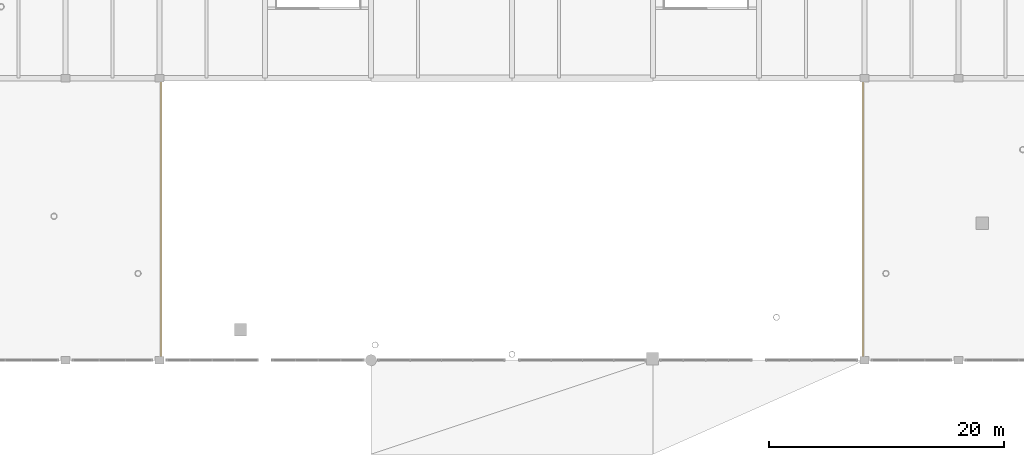
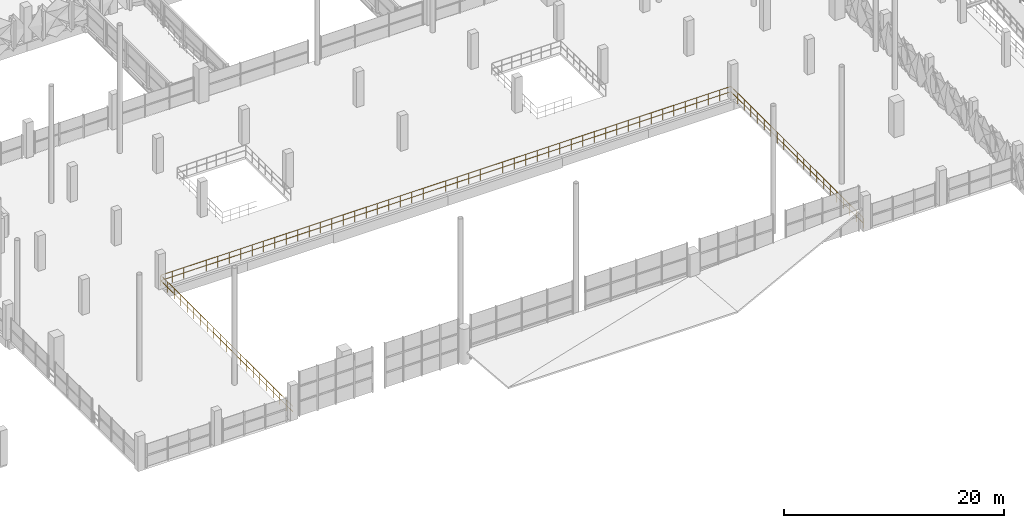
# One storey, part 109 of 123: 1 railing.
"""IFC4 building model written with IfcOpenShell, lengths in metres."""

from ifc_helpers import new_model, si_unit, derived_unit, direction, frame, origin, origin_2d, place, context, subcontext, project, spatial, circle, extrude, material, type_object, element, save


model = new_model("IFC4")

# Units and contexts
model_context = context("Model", 3, precision=1e-05, world=origin(), true_north=direction((0.0, 1.0)))
body_context = subcontext(model_context, "Body", "Model", "MODEL_VIEW")
ifc_project = project(units=[si_unit("LENGTHUNIT", "METRE"), si_unit("AREAUNIT", "SQUARE_METRE"), si_unit("VOLUMEUNIT", "CUBIC_METRE"), si_unit("PLANEANGLEUNIT", "RADIAN"), si_unit("MASSUNIT", "GRAM", prefix="KILO"), si_unit("THERMODYNAMICTEMPERATUREUNIT", "KELVIN"), derived_unit("THERMALTRANSMITTANCEUNIT", [(si_unit("POWERUNIT", "WATT"), 1), (si_unit("AREAUNIT", "SQUARE_METRE"), -1), (si_unit("THERMODYNAMICTEMPERATUREUNIT", "KELVIN"), -1)])], contexts=[model_context])

# Site, building, storey
site_placement = place(None, origin())
site = spatial("IfcSite", under=ifc_project, at=site_placement, CompositionType="ELEMENT")
building_placement = place(site_placement, origin())
building = spatial("IfcBuilding", under=site, at=building_placement, Name="Haiyu Intermodal Mobility Hub", CompositionType="ELEMENT")
storey_placement = place(building_placement, frame((0.0, 0.0, 5.60009765625)))
storey = spatial("IfcBuildingStorey", under=building, at=storey_placement, Name="L01", CompositionType="ELEMENT", Elevation=5.60009765625)

# Railing
ifc_material = material(Name="Steel Q355C", Category="steel")
railing_type = type_object("IfcRailingType", Name="RAL-GR02", PredefinedType="GUARDRAIL", material=ifc_material)
railing_placement = place(storey_placement, frame((78.1201171875, 40.1201171875, 0.0)))
element("IfcRailing", 1, at=railing_placement, inside=storey, type_object=railing_type, Name="RAL-MEZZ-VOID", PredefinedType="GUARDRAIL", context=body_context, shape_type="SweptSolid", body=[
    extrude(circle(Radius=0.02392578125, at=origin_2d()), frame((0.0, 0.030029296875, 1.19580078125), z_axis=(0.0, 1.0, 0.0), x_axis=(-1.0, 0.0, 0.0)), (0.0, 0.0, 1.0), 23.93994140625),
    extrude(circle(Radius=0.02392578125, at=origin_2d()), frame((0.0, 0.037353515625, 0.60986328125), z_axis=(0.0, 1.0, 0.0), x_axis=(-1.0, 0.0, 0.0)), (0.0, 0.0, 1.0), 1.12548828125),
    extrude(circle(Radius=0.02392578125, at=origin_2d()), frame((0.0, 1.2373046875, 0.60986328125), z_axis=(0.0, 1.0, 0.0), x_axis=(-1.0, 0.0, 0.0)), (0.0, 0.0, 1.0), 1.12548828125),
    extrude(circle(Radius=0.02392578125, at=origin_2d()), frame((0.0, 2.437255859375, 0.60986328125), z_axis=(0.0, 1.0, 0.0), x_axis=(-1.0, 0.0, 0.0)), (0.0, 0.0, 1.0), 1.12548828125),
    extrude(circle(Radius=0.02392578125, at=origin_2d()), frame((0.0, 3.63720703125, 0.60986328125), z_axis=(0.0, 1.0, 0.0), x_axis=(-1.0, 0.0, 0.0)), (0.0, 0.0, 1.0), 1.12548828125),
    extrude(circle(Radius=0.02392578125, at=origin_2d()), frame((0.0, 4.83740234375, 0.60986328125), z_axis=(0.0, 1.0, 0.0), x_axis=(-1.0, 0.0, 0.0)), (0.0, 0.0, 1.0), 1.12548828125),
    extrude(circle(Radius=0.02392578125, at=origin_2d()), frame((0.0, 6.037353515625, 0.60986328125), z_axis=(0.0, 1.0, 0.0), x_axis=(-1.0, 0.0, 0.0)), (0.0, 0.0, 1.0), 1.12548828125),
    extrude(circle(Radius=0.02392578125, at=origin_2d()), frame((0.0, 7.2373046875, 0.60986328125), z_axis=(0.0, 1.0, 0.0), x_axis=(-1.0, 0.0, 0.0)), (0.0, 0.0, 1.0), 1.12548828125),
    extrude(circle(Radius=0.02392578125, at=origin_2d()), frame((0.0, 8.437255859375, 0.60986328125), z_axis=(0.0, 1.0, 0.0), x_axis=(-1.0, 0.0, 0.0)), (0.0, 0.0, 1.0), 1.12548828125),
    extrude(circle(Radius=0.02392578125, at=origin_2d()), frame((0.0, 9.63720703125, 0.60986328125), z_axis=(0.0, 1.0, 0.0), x_axis=(-1.0, 0.0, 0.0)), (0.0, 0.0, 1.0), 1.12548828125),
    extrude(circle(Radius=0.02392578125, at=origin_2d()), frame((0.0, 10.83740234375, 0.60986328125), z_axis=(0.0, 1.0, 0.0), x_axis=(-1.0, 0.0, 0.0)), (0.0, 0.0, 1.0), 1.12548828125),
    extrude(circle(Radius=0.02392578125, at=origin_2d()), frame((0.0, 12.037353515625, 0.60986328125), z_axis=(0.0, 1.0, 0.0), x_axis=(-1.0, 0.0, 0.0)), (0.0, 0.0, 1.0), 1.12548828125),
    extrude(circle(Radius=0.02392578125, at=origin_2d()), frame((0.0, 13.2373046875, 0.60986328125), z_axis=(0.0, 1.0, 0.0), x_axis=(-1.0, 0.0, 0.0)), (0.0, 0.0, 1.0), 1.12548828125),
    extrude(circle(Radius=0.02392578125, at=origin_2d()), frame((0.0, 14.437255859375, 0.60986328125), z_axis=(0.0, 1.0, 0.0), x_axis=(-1.0, 0.0, 0.0)), (0.0, 0.0, 1.0), 1.12548828125),
    extrude(circle(Radius=0.02392578125, at=origin_2d()), frame((0.0, 15.63720703125, 0.60986328125), z_axis=(0.0, 1.0, 0.0), x_axis=(-1.0, 0.0, 0.0)), (0.0, 0.0, 1.0), 1.12548828125),
    extrude(circle(Radius=0.02392578125, at=origin_2d()), frame((0.0, 16.83740234375, 0.60986328125), z_axis=(0.0, 1.0, 0.0), x_axis=(-1.0, 0.0, 0.0)), (0.0, 0.0, 1.0), 1.12548828125),
    extrude(circle(Radius=0.02392578125, at=origin_2d()), frame((0.0, 18.037353515625, 0.60986328125), z_axis=(0.0, 1.0, 0.0), x_axis=(-1.0, 0.0, 0.0)), (0.0, 0.0, 1.0), 1.12548828125),
    extrude(circle(Radius=0.02392578125, at=origin_2d()), frame((0.0, 19.2373046875, 0.60986328125), z_axis=(0.0, 1.0, 0.0), x_axis=(-1.0, 0.0, 0.0)), (0.0, 0.0, 1.0), 1.12548828125),
    extrude(circle(Radius=0.02392578125, at=origin_2d()), frame((0.0, 20.437255859375, 0.60986328125), z_axis=(0.0, 1.0, 0.0), x_axis=(-1.0, 0.0, 0.0)), (0.0, 0.0, 1.0), 1.12548828125),
    extrude(circle(Radius=0.02392578125, at=origin_2d()), frame((0.0, 21.63720703125, 0.60986328125), z_axis=(0.0, 1.0, 0.0), x_axis=(-1.0, 0.0, 0.0)), (0.0, 0.0, 1.0), 1.12548828125),
    extrude(circle(Radius=0.02392578125, at=origin_2d()), frame((0.0, 22.83740234375, 0.60986328125), z_axis=(0.0, 1.0, 0.0), x_axis=(-1.0, 0.0, 0.0)), (0.0, 0.0, 1.0), 1.12548828125),
    extrude(circle(Radius=0.02392578125, at=origin_2d()), frame((0.030029296875, 24.0, 1.19580078125), z_axis=(1.0, 0.0, 0.0), x_axis=(0.0, 1.0, 0.0)), (0.0, 0.0, 1.0), 59.69970703125),
    extrude(circle(Radius=0.02392578125, at=origin_2d()), frame((0.037353515625, 24.0, 0.60986328125), z_axis=(1.0, 0.0, 0.0), x_axis=(0.0, 1.0, 0.0)), (0.0, 0.0, 1.0), 1.12060546875),
    extrude(circle(Radius=0.02392578125, at=origin_2d()), frame((1.232421875, 24.0, 0.60986328125), z_axis=(1.0, 0.0, 0.0), x_axis=(0.0, 1.0, 0.0)), (0.0, 0.0, 1.0), 1.12060546875),
    extrude(circle(Radius=0.02392578125, at=origin_2d()), frame((2.427734375, 24.0, 0.60986328125), z_axis=(1.0, 0.0, 0.0), x_axis=(0.0, 1.0, 0.0)), (0.0, 0.0, 1.0), 1.12060546875),
    extrude(circle(Radius=0.02392578125, at=origin_2d()), frame((3.622802734375, 24.0, 0.60986328125), z_axis=(1.0, 0.0, 0.0), x_axis=(0.0, 1.0, 0.0)), (0.0, 0.0, 1.0), 1.12060546875),
    extrude(circle(Radius=0.02392578125, at=origin_2d()), frame((4.818115234375, 24.0, 0.60986328125), z_axis=(1.0, 0.0, 0.0), x_axis=(0.0, 1.0, 0.0)), (0.0, 0.0, 1.0), 1.12060546875),
    extrude(circle(Radius=0.02392578125, at=origin_2d()), frame((6.01318359375, 24.0, 0.60986328125), z_axis=(1.0, 0.0, 0.0), x_axis=(0.0, 1.0, 0.0)), (0.0, 0.0, 1.0), 1.12060546875),
    extrude(circle(Radius=0.02392578125, at=origin_2d()), frame((7.20849609375, 24.0, 0.60986328125), z_axis=(1.0, 0.0, 0.0), x_axis=(0.0, 1.0, 0.0)), (0.0, 0.0, 1.0), 1.12060546875),
    extrude(circle(Radius=0.02392578125, at=origin_2d()), frame((8.403564453125, 24.0, 0.60986328125), z_axis=(1.0, 0.0, 0.0), x_axis=(0.0, 1.0, 0.0)), (0.0, 0.0, 1.0), 1.12060546875),
    extrude(circle(Radius=0.02392578125, at=origin_2d()), frame((9.598876953125, 24.0, 0.60986328125), z_axis=(1.0, 0.0, 0.0), x_axis=(0.0, 1.0, 0.0)), (0.0, 0.0, 1.0), 1.12060546875),
    extrude(circle(Radius=0.02392578125, at=origin_2d()), frame((10.7939453125, 24.0, 0.60986328125), z_axis=(1.0, 0.0, 0.0), x_axis=(0.0, 1.0, 0.0)), (0.0, 0.0, 1.0), 1.12060546875),
    extrude(circle(Radius=0.02392578125, at=origin_2d()), frame((11.9892578125, 24.0, 0.60986328125), z_axis=(1.0, 0.0, 0.0), x_axis=(0.0, 1.0, 0.0)), (0.0, 0.0, 1.0), 1.12060546875),
    extrude(circle(Radius=0.02392578125, at=origin_2d()), frame((13.184326171875, 24.0, 0.60986328125), z_axis=(1.0, 0.0, 0.0), x_axis=(0.0, 1.0, 0.0)), (0.0, 0.0, 1.0), 1.12060546875),
    extrude(circle(Radius=0.02392578125, at=origin_2d()), frame((14.379638671875, 24.0, 0.60986328125), z_axis=(1.0, 0.0, 0.0), x_axis=(0.0, 1.0, 0.0)), (0.0, 0.0, 1.0), 1.12060546875),
    extrude(circle(Radius=0.02392578125, at=origin_2d()), frame((15.574951171875, 24.0, 0.60986328125), z_axis=(1.0, 0.0, 0.0), x_axis=(0.0, 1.0, 0.0)), (0.0, 0.0, 1.0), 1.12060546875),
    extrude(circle(Radius=0.02392578125, at=origin_2d()), frame((16.77001953125, 24.0, 0.60986328125), z_axis=(1.0, 0.0, 0.0), x_axis=(0.0, 1.0, 0.0)), (0.0, 0.0, 1.0), 1.12060546875),
    extrude(circle(Radius=0.02392578125, at=origin_2d()), frame((17.96533203125, 24.0, 0.60986328125), z_axis=(1.0, 0.0, 0.0), x_axis=(0.0, 1.0, 0.0)), (0.0, 0.0, 1.0), 1.12060546875),
    extrude(circle(Radius=0.02392578125, at=origin_2d()), frame((19.160400390625, 24.0, 0.60986328125), z_axis=(1.0, 0.0, 0.0), x_axis=(0.0, 1.0, 0.0)), (0.0, 0.0, 1.0), 1.12060546875),
    extrude(circle(Radius=0.02392578125, at=origin_2d()), frame((20.355712890625, 24.0, 0.60986328125), z_axis=(1.0, 0.0, 0.0), x_axis=(0.0, 1.0, 0.0)), (0.0, 0.0, 1.0), 1.12060546875),
    extrude(circle(Radius=0.02392578125, at=origin_2d()), frame((21.55078125, 24.0, 0.60986328125), z_axis=(1.0, 0.0, 0.0), x_axis=(0.0, 1.0, 0.0)), (0.0, 0.0, 1.0), 1.12060546875),
    extrude(circle(Radius=0.02392578125, at=origin_2d()), frame((22.74609375, 24.0, 0.60986328125), z_axis=(1.0, 0.0, 0.0), x_axis=(0.0, 1.0, 0.0)), (0.0, 0.0, 1.0), 1.12060546875),
    extrude(circle(Radius=0.02392578125, at=origin_2d()), frame((23.941162109375, 24.0, 0.60986328125), z_axis=(1.0, 0.0, 0.0), x_axis=(0.0, 1.0, 0.0)), (0.0, 0.0, 1.0), 1.12060546875),
    extrude(circle(Radius=0.02392578125, at=origin_2d()), frame((25.136474609375, 24.0, 0.60986328125), z_axis=(1.0, 0.0, 0.0), x_axis=(0.0, 1.0, 0.0)), (0.0, 0.0, 1.0), 1.12060546875),
    extrude(circle(Radius=0.02392578125, at=origin_2d()), frame((26.33154296875, 24.0, 0.60986328125), z_axis=(1.0, 0.0, 0.0), x_axis=(0.0, 1.0, 0.0)), (0.0, 0.0, 1.0), 1.12060546875),
    extrude(circle(Radius=0.02392578125, at=origin_2d()), frame((27.52685546875, 24.0, 0.60986328125), z_axis=(1.0, 0.0, 0.0), x_axis=(0.0, 1.0, 0.0)), (0.0, 0.0, 1.0), 1.12060546875),
    extrude(circle(Radius=0.02392578125, at=origin_2d()), frame((28.721923828125, 24.0, 0.60986328125), z_axis=(1.0, 0.0, 0.0), x_axis=(0.0, 1.0, 0.0)), (0.0, 0.0, 1.0), 1.12060546875),
    extrude(circle(Radius=0.02392578125, at=origin_2d()), frame((29.917236328125, 24.0, 0.60986328125), z_axis=(1.0, 0.0, 0.0), x_axis=(0.0, 1.0, 0.0)), (0.0, 0.0, 1.0), 1.12060546875),
    extrude(circle(Radius=0.02392578125, at=origin_2d()), frame((31.1123046875, 24.0, 0.60986328125), z_axis=(1.0, 0.0, 0.0), x_axis=(0.0, 1.0, 0.0)), (0.0, 0.0, 1.0), 1.12060546875),
    extrude(circle(Radius=0.02392578125, at=origin_2d()), frame((32.3076171875, 24.0, 0.60986328125), z_axis=(1.0, 0.0, 0.0), x_axis=(0.0, 1.0, 0.0)), (0.0, 0.0, 1.0), 1.12060546875),
    extrude(circle(Radius=0.02392578125, at=origin_2d()), frame((33.502685546875, 24.0, 0.60986328125), z_axis=(1.0, 0.0, 0.0), x_axis=(0.0, 1.0, 0.0)), (0.0, 0.0, 1.0), 1.12060546875),
    extrude(circle(Radius=0.02392578125, at=origin_2d()), frame((34.697998046875, 24.0, 0.60986328125), z_axis=(1.0, 0.0, 0.0), x_axis=(0.0, 1.0, 0.0)), (0.0, 0.0, 1.0), 1.12060546875),
    extrude(circle(Radius=0.02392578125, at=origin_2d()), frame((35.89306640625, 24.0, 0.60986328125), z_axis=(1.0, 0.0, 0.0), x_axis=(0.0, 1.0, 0.0)), (0.0, 0.0, 1.0), 1.12060546875),
    extrude(circle(Radius=0.02392578125, at=origin_2d()), frame((37.08837890625, 24.0, 0.60986328125), z_axis=(1.0, 0.0, 0.0), x_axis=(0.0, 1.0, 0.0)), (0.0, 0.0, 1.0), 1.12060546875),
    extrude(circle(Radius=0.02392578125, at=origin_2d()), frame((38.283447265625, 24.0, 0.60986328125), z_axis=(1.0, 0.0, 0.0), x_axis=(0.0, 1.0, 0.0)), (0.0, 0.0, 1.0), 1.12060546875),
    extrude(circle(Radius=0.02392578125, at=origin_2d()), frame((39.478759765625, 24.0, 0.60986328125), z_axis=(1.0, 0.0, 0.0), x_axis=(0.0, 1.0, 0.0)), (0.0, 0.0, 1.0), 1.12060546875),
    extrude(circle(Radius=0.02392578125, at=origin_2d()), frame((40.673828125, 24.0, 0.60986328125), z_axis=(1.0, 0.0, 0.0), x_axis=(0.0, 1.0, 0.0)), (0.0, 0.0, 1.0), 1.12060546875),
    extrude(circle(Radius=0.02392578125, at=origin_2d()), frame((41.869140625, 24.0, 0.60986328125), z_axis=(1.0, 0.0, 0.0), x_axis=(0.0, 1.0, 0.0)), (0.0, 0.0, 1.0), 1.12060546875),
    extrude(circle(Radius=0.02392578125, at=origin_2d()), frame((43.064208984375, 24.0, 0.60986328125), z_axis=(1.0, 0.0, 0.0), x_axis=(0.0, 1.0, 0.0)), (0.0, 0.0, 1.0), 1.12060546875),
    extrude(circle(Radius=0.02392578125, at=origin_2d()), frame((44.259521484375, 24.0, 0.60986328125), z_axis=(1.0, 0.0, 0.0), x_axis=(0.0, 1.0, 0.0)), (0.0, 0.0, 1.0), 1.12060546875),
    extrude(circle(Radius=0.02392578125, at=origin_2d()), frame((45.454833984375, 24.0, 0.60986328125), z_axis=(1.0, 0.0, 0.0), x_axis=(0.0, 1.0, 0.0)), (0.0, 0.0, 1.0), 1.12060546875),
    extrude(circle(Radius=0.02392578125, at=origin_2d()), frame((46.64990234375, 24.0, 0.60986328125), z_axis=(1.0, 0.0, 0.0), x_axis=(0.0, 1.0, 0.0)), (0.0, 0.0, 1.0), 1.12060546875),
    extrude(circle(Radius=0.02392578125, at=origin_2d()), frame((47.84521484375, 24.0, 0.60986328125), z_axis=(1.0, 0.0, 0.0), x_axis=(0.0, 1.0, 0.0)), (0.0, 0.0, 1.0), 1.12060546875),
    extrude(circle(Radius=0.02392578125, at=origin_2d()), frame((49.040283203125, 24.0, 0.60986328125), z_axis=(1.0, 0.0, 0.0), x_axis=(0.0, 1.0, 0.0)), (0.0, 0.0, 1.0), 1.12060546875),
    extrude(circle(Radius=0.02392578125, at=origin_2d()), frame((50.235595703125, 24.0, 0.60986328125), z_axis=(1.0, 0.0, 0.0), x_axis=(0.0, 1.0, 0.0)), (0.0, 0.0, 1.0), 1.12060546875),
    extrude(circle(Radius=0.02392578125, at=origin_2d()), frame((51.4306640625, 24.0, 0.60986328125), z_axis=(1.0, 0.0, 0.0), x_axis=(0.0, 1.0, 0.0)), (0.0, 0.0, 1.0), 1.12060546875),
    extrude(circle(Radius=0.02392578125, at=origin_2d()), frame((52.6259765625, 24.0, 0.60986328125), z_axis=(1.0, 0.0, 0.0), x_axis=(0.0, 1.0, 0.0)), (0.0, 0.0, 1.0), 1.12060546875),
    extrude(circle(Radius=0.02392578125, at=origin_2d()), frame((53.821044921875, 24.0, 0.60986328125), z_axis=(1.0, 0.0, 0.0), x_axis=(0.0, 1.0, 0.0)), (0.0, 0.0, 1.0), 1.12060546875),
    extrude(circle(Radius=0.02392578125, at=origin_2d()), frame((55.016357421875, 24.0, 0.60986328125), z_axis=(1.0, 0.0, 0.0), x_axis=(0.0, 1.0, 0.0)), (0.0, 0.0, 1.0), 1.12060546875),
    extrude(circle(Radius=0.02392578125, at=origin_2d()), frame((56.21142578125, 24.0, 0.60986328125), z_axis=(1.0, 0.0, 0.0), x_axis=(0.0, 1.0, 0.0)), (0.0, 0.0, 1.0), 1.12060546875),
    extrude(circle(Radius=0.02392578125, at=origin_2d()), frame((57.40673828125, 24.0, 0.60986328125), z_axis=(1.0, 0.0, 0.0), x_axis=(0.0, 1.0, 0.0)), (0.0, 0.0, 1.0), 1.12060546875),
    extrude(circle(Radius=0.02392578125, at=origin_2d()), frame((58.601806640625, 24.0, 0.60986328125), z_axis=(1.0, 0.0, 0.0), x_axis=(0.0, 1.0, 0.0)), (0.0, 0.0, 1.0), 1.12060546875),
    extrude(circle(Radius=0.02392578125, at=origin_2d()), frame((59.759765625, 23.969970703125, 1.19580078125), z_axis=(0.0, -1.0, 0.0), x_axis=(1.0, 0.0, 0.0)), (0.0, 0.0, 1.0), 23.93994140625),
    extrude(circle(Radius=0.02392578125, at=origin_2d()), frame((59.759765625, 23.962646484375, 0.60986328125), z_axis=(0.0, -1.0, 0.0), x_axis=(1.0, 0.0, 0.0)), (0.0, 0.0, 1.0), 1.12548828125),
    extrude(circle(Radius=0.02392578125, at=origin_2d()), frame((59.759765625, 22.7626953125, 0.60986328125), z_axis=(0.0, -1.0, 0.0), x_axis=(1.0, 0.0, 0.0)), (0.0, 0.0, 1.0), 1.12548828125),
    extrude(circle(Radius=0.02392578125, at=origin_2d()), frame((59.759765625, 21.562744140625, 0.60986328125), z_axis=(0.0, -1.0, 0.0), x_axis=(1.0, 0.0, 0.0)), (0.0, 0.0, 1.0), 1.12548828125),
    extrude(circle(Radius=0.02392578125, at=origin_2d()), frame((59.759765625, 20.36279296875, 0.60986328125), z_axis=(0.0, -1.0, 0.0), x_axis=(1.0, 0.0, 0.0)), (0.0, 0.0, 1.0), 1.12548828125),
    extrude(circle(Radius=0.02392578125, at=origin_2d()), frame((59.759765625, 19.16259765625, 0.60986328125), z_axis=(0.0, -1.0, 0.0), x_axis=(1.0, 0.0, 0.0)), (0.0, 0.0, 1.0), 1.12548828125),
    extrude(circle(Radius=0.02392578125, at=origin_2d()), frame((59.759765625, 17.962646484375, 0.60986328125), z_axis=(0.0, -1.0, 0.0), x_axis=(1.0, 0.0, 0.0)), (0.0, 0.0, 1.0), 1.12548828125),
    extrude(circle(Radius=0.02392578125, at=origin_2d()), frame((59.759765625, 16.7626953125, 0.60986328125), z_axis=(0.0, -1.0, 0.0), x_axis=(1.0, 0.0, 0.0)), (0.0, 0.0, 1.0), 1.12548828125),
    extrude(circle(Radius=0.02392578125, at=origin_2d()), frame((59.759765625, 15.562744140625, 0.60986328125), z_axis=(0.0, -1.0, 0.0), x_axis=(1.0, 0.0, 0.0)), (0.0, 0.0, 1.0), 1.12548828125),
    extrude(circle(Radius=0.02392578125, at=origin_2d()), frame((59.759765625, 14.36279296875, 0.60986328125), z_axis=(0.0, -1.0, 0.0), x_axis=(1.0, 0.0, 0.0)), (0.0, 0.0, 1.0), 1.12548828125),
    extrude(circle(Radius=0.02392578125, at=origin_2d()), frame((59.759765625, 13.16259765625, 0.60986328125), z_axis=(0.0, -1.0, 0.0), x_axis=(1.0, 0.0, 0.0)), (0.0, 0.0, 1.0), 1.12548828125),
    extrude(circle(Radius=0.02392578125, at=origin_2d()), frame((59.759765625, 11.962646484375, 0.60986328125), z_axis=(0.0, -1.0, 0.0), x_axis=(1.0, 0.0, 0.0)), (0.0, 0.0, 1.0), 1.12548828125),
    extrude(circle(Radius=0.02392578125, at=origin_2d()), frame((59.759765625, 10.7626953125, 0.60986328125), z_axis=(0.0, -1.0, 0.0), x_axis=(1.0, 0.0, 0.0)), (0.0, 0.0, 1.0), 1.12548828125),
    extrude(circle(Radius=0.02392578125, at=origin_2d()), frame((59.759765625, 9.562744140625, 0.60986328125), z_axis=(0.0, -1.0, 0.0), x_axis=(1.0, 0.0, 0.0)), (0.0, 0.0, 1.0), 1.12548828125),
    extrude(circle(Radius=0.02392578125, at=origin_2d()), frame((59.759765625, 8.36279296875, 0.60986328125), z_axis=(0.0, -1.0, 0.0), x_axis=(1.0, 0.0, 0.0)), (0.0, 0.0, 1.0), 1.12548828125),
    extrude(circle(Radius=0.02392578125, at=origin_2d()), frame((59.759765625, 7.16259765625, 0.60986328125), z_axis=(0.0, -1.0, 0.0), x_axis=(1.0, 0.0, 0.0)), (0.0, 0.0, 1.0), 1.12548828125),
    extrude(circle(Radius=0.02392578125, at=origin_2d()), frame((59.759765625, 5.962646484375, 0.60986328125), z_axis=(0.0, -1.0, 0.0), x_axis=(1.0, 0.0, 0.0)), (0.0, 0.0, 1.0), 1.12548828125),
    extrude(circle(Radius=0.02392578125, at=origin_2d()), frame((59.759765625, 4.7626953125, 0.60986328125), z_axis=(0.0, -1.0, 0.0), x_axis=(1.0, 0.0, 0.0)), (0.0, 0.0, 1.0), 1.12548828125),
    extrude(circle(Radius=0.02392578125, at=origin_2d()), frame((59.759765625, 3.562744140625, 0.60986328125), z_axis=(0.0, -1.0, 0.0), x_axis=(1.0, 0.0, 0.0)), (0.0, 0.0, 1.0), 1.12548828125),
    extrude(circle(Radius=0.02392578125, at=origin_2d()), frame((59.759765625, 2.36279296875, 0.60986328125), z_axis=(0.0, -1.0, 0.0), x_axis=(1.0, 0.0, 0.0)), (0.0, 0.0, 1.0), 1.12548828125),
    extrude(circle(Radius=0.02392578125, at=origin_2d()), frame((59.759765625, 1.16259765625, 0.60986328125), z_axis=(0.0, -1.0, 0.0), x_axis=(1.0, 0.0, 0.0)), (0.0, 0.0, 1.0), 1.12548828125),
    extrude(circle(Radius=0.02099609375, at=origin_2d()), origin(), (0.0, 0.0, 1.0), 1.163818359375),
    extrude(circle(Radius=0.02099609375, at=origin_2d()), frame((0.0, 1.199951171875, 0.0)), (0.0, 0.0, 1.0), 1.163818359375),
    extrude(circle(Radius=0.02099609375, at=origin_2d()), frame((0.0, 2.39990234375, 0.0)), (0.0, 0.0, 1.0), 1.163818359375),
    extrude(circle(Radius=0.02099609375, at=origin_2d()), frame((0.0, 3.60009765625, 0.0)), (0.0, 0.0, 1.0), 1.163818359375),
    extrude(circle(Radius=0.02099609375, at=origin_2d()), frame((0.0, 4.800048828125, 0.0)), (0.0, 0.0, 1.0), 1.163818359375),
    extrude(circle(Radius=0.02099609375, at=origin_2d()), frame((0.0, 6.0, 0.0)), (0.0, 0.0, 1.0), 1.163818359375),
    extrude(circle(Radius=0.02099609375, at=origin_2d()), frame((0.0, 7.199951171875, 0.0)), (0.0, 0.0, 1.0), 1.163818359375),
    extrude(circle(Radius=0.02099609375, at=origin_2d()), frame((0.0, 8.39990234375, 0.0)), (0.0, 0.0, 1.0), 1.163818359375),
    extrude(circle(Radius=0.02099609375, at=origin_2d()), frame((0.0, 9.60009765625, 0.0)), (0.0, 0.0, 1.0), 1.163818359375),
    extrude(circle(Radius=0.02099609375, at=origin_2d()), frame((0.0, 10.800048828125, 0.0)), (0.0, 0.0, 1.0), 1.163818359375),
    extrude(circle(Radius=0.02099609375, at=origin_2d()), frame((0.0, 12.0, 0.0)), (0.0, 0.0, 1.0), 1.163818359375),
    extrude(circle(Radius=0.02099609375, at=origin_2d()), frame((0.0, 13.199951171875, 0.0)), (0.0, 0.0, 1.0), 1.163818359375),
    extrude(circle(Radius=0.02099609375, at=origin_2d()), frame((0.0, 14.39990234375, 0.0)), (0.0, 0.0, 1.0), 1.163818359375),
    extrude(circle(Radius=0.02099609375, at=origin_2d()), frame((0.0, 15.60009765625, 0.0)), (0.0, 0.0, 1.0), 1.163818359375),
    extrude(circle(Radius=0.02099609375, at=origin_2d()), frame((0.0, 16.800048828125, 0.0)), (0.0, 0.0, 1.0), 1.163818359375),
    extrude(circle(Radius=0.02099609375, at=origin_2d()), frame((0.0, 18.0, 0.0)), (0.0, 0.0, 1.0), 1.163818359375),
    extrude(circle(Radius=0.02099609375, at=origin_2d()), frame((0.0, 19.199951171875, 0.0)), (0.0, 0.0, 1.0), 1.163818359375),
    extrude(circle(Radius=0.02099609375, at=origin_2d()), frame((0.0, 20.39990234375, 0.0)), (0.0, 0.0, 1.0), 1.163818359375),
    extrude(circle(Radius=0.02099609375, at=origin_2d()), frame((0.0, 21.60009765625, 0.0)), (0.0, 0.0, 1.0), 1.163818359375),
    extrude(circle(Radius=0.02099609375, at=origin_2d()), frame((0.0, 22.800048828125, 0.0)), (0.0, 0.0, 1.0), 1.163818359375),
    extrude(circle(Radius=0.02099609375, at=origin_2d()), frame((0.0, 24.0, 0.0)), (0.0, 0.0, 1.0), 1.163818359375),
    extrude(circle(Radius=0.02099609375, at=origin_2d()), frame((1.1953125, 24.0, 0.0)), (0.0, 0.0, 1.0), 1.163818359375),
    extrude(circle(Radius=0.02099609375, at=origin_2d()), frame((2.390380859375, 24.0, 0.0)), (0.0, 0.0, 1.0), 1.163818359375),
    extrude(circle(Radius=0.02099609375, at=origin_2d()), frame((3.585693359375, 24.0, 0.0)), (0.0, 0.0, 1.0), 1.163818359375),
    extrude(circle(Radius=0.02099609375, at=origin_2d()), frame((4.78076171875, 24.0, 0.0)), (0.0, 0.0, 1.0), 1.163818359375),
    extrude(circle(Radius=0.02099609375, at=origin_2d()), frame((5.97607421875, 24.0, 0.0)), (0.0, 0.0, 1.0), 1.163818359375),
    extrude(circle(Radius=0.02099609375, at=origin_2d()), frame((7.171142578125, 24.0, 0.0)), (0.0, 0.0, 1.0), 1.163818359375),
    extrude(circle(Radius=0.02099609375, at=origin_2d()), frame((8.366455078125, 24.0, 0.0)), (0.0, 0.0, 1.0), 1.163818359375),
    extrude(circle(Radius=0.02099609375, at=origin_2d()), frame((9.5615234375, 24.0, 0.0)), (0.0, 0.0, 1.0), 1.163818359375),
    extrude(circle(Radius=0.02099609375, at=origin_2d()), frame((10.7568359375, 24.0, 0.0)), (0.0, 0.0, 1.0), 1.163818359375),
    extrude(circle(Radius=0.02099609375, at=origin_2d()), frame((11.951904296875, 24.0, 0.0)), (0.0, 0.0, 1.0), 1.163818359375),
    extrude(circle(Radius=0.02099609375, at=origin_2d()), frame((13.147216796875, 24.0, 0.0)), (0.0, 0.0, 1.0), 1.163818359375),
    extrude(circle(Radius=0.02099609375, at=origin_2d()), frame((14.34228515625, 24.0, 0.0)), (0.0, 0.0, 1.0), 1.163818359375),
    extrude(circle(Radius=0.02099609375, at=origin_2d()), frame((15.53759765625, 24.0, 0.0)), (0.0, 0.0, 1.0), 1.163818359375),
    extrude(circle(Radius=0.02099609375, at=origin_2d()), frame((16.732666015625, 24.0, 0.0)), (0.0, 0.0, 1.0), 1.163818359375),
    extrude(circle(Radius=0.02099609375, at=origin_2d()), frame((17.927978515625, 24.0, 0.0)), (0.0, 0.0, 1.0), 1.163818359375),
    extrude(circle(Radius=0.02099609375, at=origin_2d()), frame((19.123046875, 24.0, 0.0)), (0.0, 0.0, 1.0), 1.163818359375),
    extrude(circle(Radius=0.02099609375, at=origin_2d()), frame((20.318359375, 24.0, 0.0)), (0.0, 0.0, 1.0), 1.163818359375),
    extrude(circle(Radius=0.02099609375, at=origin_2d()), frame((21.513427734375, 24.0, 0.0)), (0.0, 0.0, 1.0), 1.163818359375),
    extrude(circle(Radius=0.02099609375, at=origin_2d()), frame((22.708740234375, 24.0, 0.0)), (0.0, 0.0, 1.0), 1.163818359375),
    extrude(circle(Radius=0.02099609375, at=origin_2d()), frame((23.90380859375, 24.0, 0.0)), (0.0, 0.0, 1.0), 1.163818359375),
    extrude(circle(Radius=0.02099609375, at=origin_2d()), frame((25.09912109375, 24.0, 0.0)), (0.0, 0.0, 1.0), 1.163818359375),
    extrude(circle(Radius=0.02099609375, at=origin_2d()), frame((26.294189453125, 24.0, 0.0)), (0.0, 0.0, 1.0), 1.163818359375),
    extrude(circle(Radius=0.02099609375, at=origin_2d()), frame((27.489501953125, 24.0, 0.0)), (0.0, 0.0, 1.0), 1.163818359375),
    extrude(circle(Radius=0.02099609375, at=origin_2d()), frame((28.6845703125, 24.0, 0.0)), (0.0, 0.0, 1.0), 1.163818359375),
    extrude(circle(Radius=0.02099609375, at=origin_2d()), frame((29.8798828125, 24.0, 0.0)), (0.0, 0.0, 1.0), 1.163818359375),
    extrude(circle(Radius=0.02099609375, at=origin_2d()), frame((31.0751953125, 24.0, 0.0)), (0.0, 0.0, 1.0), 1.163818359375),
    extrude(circle(Radius=0.02099609375, at=origin_2d()), frame((32.270263671875, 24.0, 0.0)), (0.0, 0.0, 1.0), 1.163818359375),
    extrude(circle(Radius=0.02099609375, at=origin_2d()), frame((33.465576171875, 24.0, 0.0)), (0.0, 0.0, 1.0), 1.163818359375),
    extrude(circle(Radius=0.02099609375, at=origin_2d()), frame((34.66064453125, 24.0, 0.0)), (0.0, 0.0, 1.0), 1.163818359375),
    extrude(circle(Radius=0.02099609375, at=origin_2d()), frame((35.85595703125, 24.0, 0.0)), (0.0, 0.0, 1.0), 1.163818359375),
    extrude(circle(Radius=0.02099609375, at=origin_2d()), frame((37.051025390625, 24.0, 0.0)), (0.0, 0.0, 1.0), 1.163818359375),
    extrude(circle(Radius=0.02099609375, at=origin_2d()), frame((38.246337890625, 24.0, 0.0)), (0.0, 0.0, 1.0), 1.163818359375),
    extrude(circle(Radius=0.02099609375, at=origin_2d()), frame((39.44140625, 24.0, 0.0)), (0.0, 0.0, 1.0), 1.163818359375),
    extrude(circle(Radius=0.02099609375, at=origin_2d()), frame((40.63671875, 24.0, 0.0)), (0.0, 0.0, 1.0), 1.163818359375),
    extrude(circle(Radius=0.02099609375, at=origin_2d()), frame((41.831787109375, 24.0, 0.0)), (0.0, 0.0, 1.0), 1.163818359375),
    extrude(circle(Radius=0.02099609375, at=origin_2d()), frame((43.027099609375, 24.0, 0.0)), (0.0, 0.0, 1.0), 1.163818359375),
    extrude(circle(Radius=0.02099609375, at=origin_2d()), frame((44.22216796875, 24.0, 0.0)), (0.0, 0.0, 1.0), 1.163818359375),
    extrude(circle(Radius=0.02099609375, at=origin_2d()), frame((45.41748046875, 24.0, 0.0)), (0.0, 0.0, 1.0), 1.163818359375),
    extrude(circle(Radius=0.02099609375, at=origin_2d()), frame((46.612548828125, 24.0, 0.0)), (0.0, 0.0, 1.0), 1.163818359375),
    extrude(circle(Radius=0.02099609375, at=origin_2d()), frame((47.807861328125, 24.0, 0.0)), (0.0, 0.0, 1.0), 1.163818359375),
    extrude(circle(Radius=0.02099609375, at=origin_2d()), frame((49.0029296875, 24.0, 0.0)), (0.0, 0.0, 1.0), 1.163818359375),
    extrude(circle(Radius=0.02099609375, at=origin_2d()), frame((50.1982421875, 24.0, 0.0)), (0.0, 0.0, 1.0), 1.163818359375),
    extrude(circle(Radius=0.02099609375, at=origin_2d()), frame((51.393310546875, 24.0, 0.0)), (0.0, 0.0, 1.0), 1.163818359375),
    extrude(circle(Radius=0.02099609375, at=origin_2d()), frame((52.588623046875, 24.0, 0.0)), (0.0, 0.0, 1.0), 1.163818359375),
    extrude(circle(Radius=0.02099609375, at=origin_2d()), frame((53.78369140625, 24.0, 0.0)), (0.0, 0.0, 1.0), 1.163818359375),
    extrude(circle(Radius=0.02099609375, at=origin_2d()), frame((54.97900390625, 24.0, 0.0)), (0.0, 0.0, 1.0), 1.163818359375),
    extrude(circle(Radius=0.02099609375, at=origin_2d()), frame((56.174072265625, 24.0, 0.0)), (0.0, 0.0, 1.0), 1.163818359375),
    extrude(circle(Radius=0.02099609375, at=origin_2d()), frame((57.369384765625, 24.0, 0.0)), (0.0, 0.0, 1.0), 1.163818359375),
    extrude(circle(Radius=0.02099609375, at=origin_2d()), frame((58.564453125, 24.0, 0.0)), (0.0, 0.0, 1.0), 1.163818359375),
    extrude(circle(Radius=0.02099609375, at=origin_2d()), frame((59.759765625, 24.0, 0.0)), (0.0, 0.0, 1.0), 1.163818359375),
    extrude(circle(Radius=0.02099609375, at=origin_2d()), frame((59.759765625, 22.800048828125, 0.0)), (0.0, 0.0, 1.0), 1.163818359375),
    extrude(circle(Radius=0.02099609375, at=origin_2d()), frame((59.759765625, 21.60009765625, 0.0)), (0.0, 0.0, 1.0), 1.163818359375),
    extrude(circle(Radius=0.02099609375, at=origin_2d()), frame((59.759765625, 20.39990234375, 0.0)), (0.0, 0.0, 1.0), 1.163818359375),
    extrude(circle(Radius=0.02099609375, at=origin_2d()), frame((59.759765625, 19.199951171875, 0.0)), (0.0, 0.0, 1.0), 1.163818359375),
    extrude(circle(Radius=0.02099609375, at=origin_2d()), frame((59.759765625, 18.0, 0.0)), (0.0, 0.0, 1.0), 1.163818359375),
    extrude(circle(Radius=0.02099609375, at=origin_2d()), frame((59.759765625, 16.800048828125, 0.0)), (0.0, 0.0, 1.0), 1.163818359375),
    extrude(circle(Radius=0.02099609375, at=origin_2d()), frame((59.759765625, 15.60009765625, 0.0)), (0.0, 0.0, 1.0), 1.163818359375),
    extrude(circle(Radius=0.02099609375, at=origin_2d()), frame((59.759765625, 14.39990234375, 0.0)), (0.0, 0.0, 1.0), 1.163818359375),
    extrude(circle(Radius=0.02099609375, at=origin_2d()), frame((59.759765625, 13.199951171875, 0.0)), (0.0, 0.0, 1.0), 1.163818359375),
    extrude(circle(Radius=0.02099609375, at=origin_2d()), frame((59.759765625, 12.0, 0.0)), (0.0, 0.0, 1.0), 1.163818359375),
    extrude(circle(Radius=0.02099609375, at=origin_2d()), frame((59.759765625, 10.800048828125, 0.0)), (0.0, 0.0, 1.0), 1.163818359375),
    extrude(circle(Radius=0.02099609375, at=origin_2d()), frame((59.759765625, 9.60009765625, 0.0)), (0.0, 0.0, 1.0), 1.163818359375),
    extrude(circle(Radius=0.02099609375, at=origin_2d()), frame((59.759765625, 8.39990234375, 0.0)), (0.0, 0.0, 1.0), 1.163818359375),
    extrude(circle(Radius=0.02099609375, at=origin_2d()), frame((59.759765625, 7.199951171875, 0.0)), (0.0, 0.0, 1.0), 1.163818359375),
    extrude(circle(Radius=0.02099609375, at=origin_2d()), frame((59.759765625, 6.0, 0.0)), (0.0, 0.0, 1.0), 1.163818359375),
    extrude(circle(Radius=0.02099609375, at=origin_2d()), frame((59.759765625, 4.800048828125, 0.0)), (0.0, 0.0, 1.0), 1.163818359375),
    extrude(circle(Radius=0.02099609375, at=origin_2d()), frame((59.759765625, 3.60009765625, 0.0)), (0.0, 0.0, 1.0), 1.163818359375),
    extrude(circle(Radius=0.02099609375, at=origin_2d()), frame((59.759765625, 2.39990234375, 0.0)), (0.0, 0.0, 1.0), 1.163818359375),
    extrude(circle(Radius=0.02099609375, at=origin_2d()), frame((59.759765625, 1.199951171875, 0.0)), (0.0, 0.0, 1.0), 1.163818359375),
    extrude(circle(Radius=0.02099609375, at=origin_2d()), frame((59.759765625, 0.0, 0.0)), (0.0, 0.0, 1.0), 1.163818359375),
])

save(model, "model.ifc")
